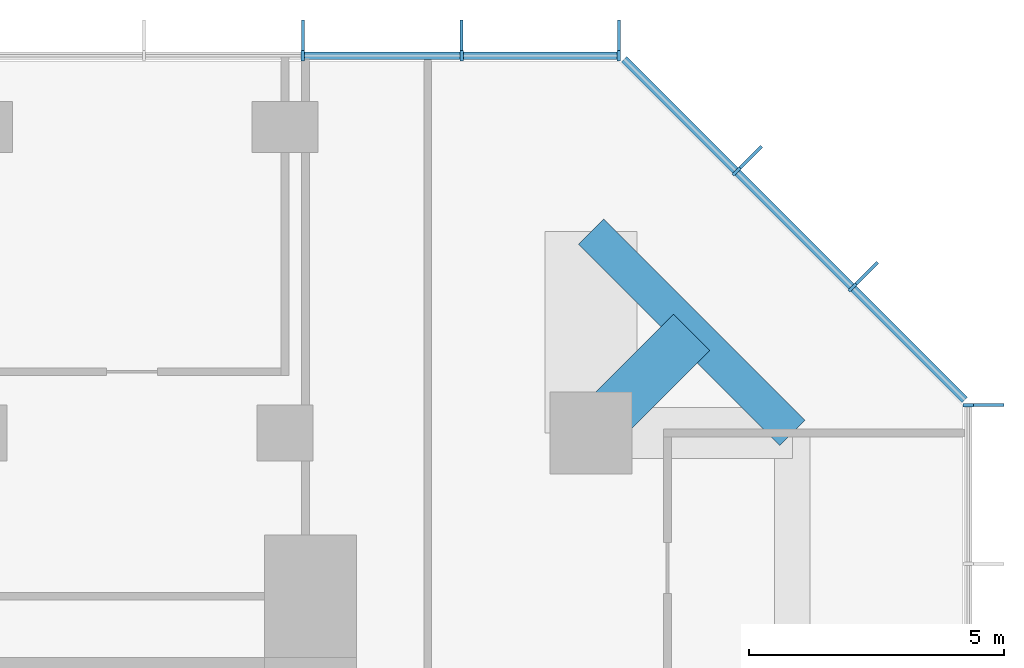
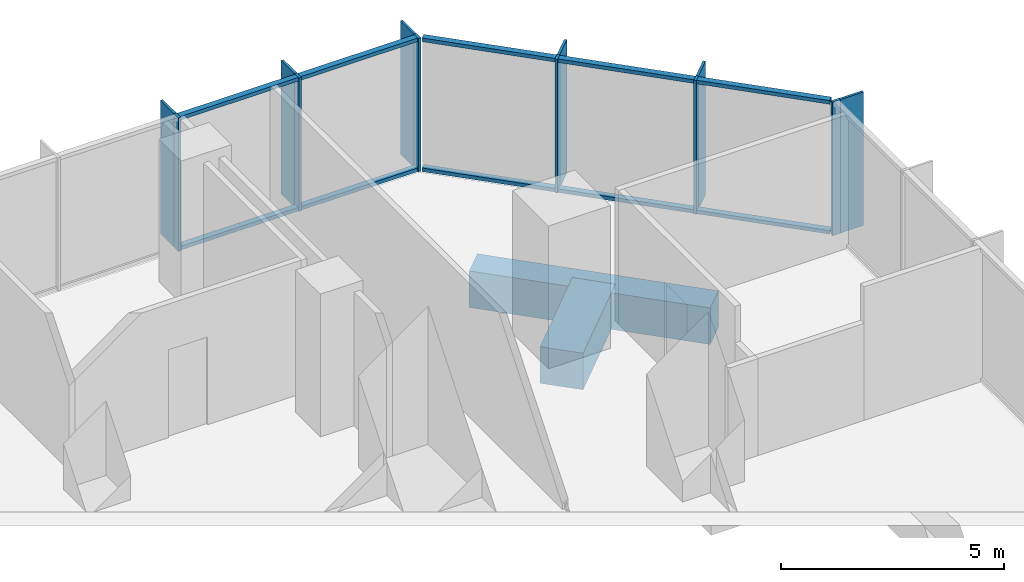
# One storey, part 6 of 10: 22 members, 2 beams, 3 elements without a shape of their own.
"""IFC4 building model written with IfcOpenShell, lengths in metres."""

from ifc_helpers import new_model, si_unit, direction, frame, origin, origin_2d, place, context, subcontext, project, spatial, rectangle, extrude, material, layer, layer_set, material_profile, profile_set, type_object, element, aggregate, save


model = new_model("IFC4")

# Units and contexts
model_context = context("Model", 3, precision=1e-05, world=origin(), true_north=direction((0.0, 1.0)))
body_context = subcontext(model_context, "Body", "Model", "MODEL_VIEW")
ifc_project = project(units=[si_unit("LENGTHUNIT", "METRE"), si_unit("AREAUNIT", "SQUARE_METRE"), si_unit("VOLUMEUNIT", "CUBIC_METRE"), si_unit("PLANEANGLEUNIT", "RADIAN"), si_unit("MASSUNIT", "GRAM", prefix="KILO")], contexts=[model_context])

# Site, building, storey
site_placement = place(None, origin())
site = spatial("IfcSite", under=ifc_project, at=site_placement, CompositionType="ELEMENT")
building_placement = place(site_placement, origin())
building = spatial("IfcBuilding", under=site, at=building_placement, Name="Highveld Stack Headquarters", CompositionType="ELEMENT")
storey_placement = place(building_placement, frame((0.0, 0.0, 264.5)))
storey = spatial("IfcBuildingStorey", under=building, at=storey_placement, Name="L65", CompositionType="ELEMENT", Elevation=264.5)

# Beam
ifc_material_1 = material(Name="Concrete C60/75", Category="concrete")
ifc_material_profile_1 = material_profile(ifc_material_1, rectangle(XDim=1.0, YDim=1.0, at=origin_2d()), Name="RC 1000x1000")
ifc_profile_set_1 = profile_set([ifc_material_profile_1], Name="Concrete C60/75")
beam_type_1 = type_object("IfcBeamType", Name="CANTILEVER RIB RC 1000x1000", PredefinedType="USERDEFINED", material=ifc_profile_set_1)
beam_1_placement = place(storey_placement, frame((24.0, 18.0, -0.75), z_axis=(0.707106781187, 0.707106781187, 0.0), x_axis=(-0.707106781187, 0.707106781187, 0.0)))
element("IfcBeam", 1, at=beam_1_placement, inside=storey, type_object=beam_type_1, Name="Cantilever rib 10/H L65", ObjectType="CANTILEVER RIB", PredefinedType="USERDEFINED", context=body_context, shape_type="SweptSolid", body=[
    extrude(rectangle(XDim=1.0, YDim=1.0, at=origin_2d()), origin(), (0.0, 0.0, 1.0), 2.793212890625),
])

# Curtain wall, member
ifc_material_2 = material(Name="Aluminium bronze anodised", Category="aluminium")
ifc_layer = layer(ifc_material_2, 0.199951171875)
ifc_layer_set = layer_set([ifc_layer], Name="Aluminium bronze anodised")
curtain_wall_type = type_object("IfcCurtainWallType", Name="CW5 EXECUTIVE UNITISED CURTAIN WALL", PredefinedType="NOTDEFINED", material=ifc_layer_set)
curtain_wall_1_placement = place(storey_placement, origin())
curtain_wall_1 = element("IfcCurtainWall", 2, at=curtain_wall_1_placement, inside=storey, type_object=curtain_wall_type, Name="Curtain wall CW5 L65 E", PredefinedType="NOTDEFINED")
ifc_material_3 = material(Name="Aluminium bronze anodised", Category="aluminium")
ifc_material_profile_2 = material_profile(ifc_material_3, rectangle(XDim=0.60009765625, YDim=0.06005859375, at=origin_2d()), Name="FIN 600x60")
ifc_profile_set_2 = profile_set([ifc_material_profile_2], Name="Aluminium bronze anodised")
member_type_1 = type_object("IfcMemberType", Name="CW5 BRONZE FIN 600x60", PredefinedType="USERDEFINED", material=ifc_profile_set_2)
member_1_placement = place(storey_placement, frame((31.800048828125, 18.54736328125, 0.0), z_axis=(0.0, 0.0, 1.0), x_axis=(-1.0, 0.0, 0.0)))
member_1 = element("IfcMember", 3, at=member_1_placement, type_object=member_type_1, Name="CW5 fin L65 9", ObjectType="FIN", PredefinedType="USERDEFINED", context=body_context, shape_type="SweptSolid", body=[
    extrude(rectangle(XDim=0.60009765625, YDim=0.06005859375, at=origin_2d()), origin(), (0.0, 0.0, 1.0), 3.64990234375),
])

# Curtain wall, members
curtain_wall_2_placement = place(storey_placement, origin())
curtain_wall_2 = element("IfcCurtainWall", 4, at=curtain_wall_2_placement, inside=storey, type_object=curtain_wall_type, Name="Curtain wall CW5 L65 NE", PredefinedType="NOTDEFINED")
member_2_placement = place(storey_placement, frame((29.409423828125, 21.135986328125, 0.0), z_axis=(0.0, 0.0, 1.0), x_axis=(-0.707106781187, -0.707106781187, 0.0)))
member_2 = element("IfcMember", 5, at=member_2_placement, type_object=member_type_1, Name="CW5 fin L65 1", ObjectType="FIN", PredefinedType="USERDEFINED", context=body_context, shape_type="SweptSolid", body=[
    extrude(rectangle(XDim=0.60009765625, YDim=0.06005859375, at=origin_2d()), origin(), (0.0, 0.0, 1.0), 3.64990234375),
])
member_3_placement = place(storey_placement, frame((27.135986328125, 23.409423828125, 0.0), z_axis=(0.0, 0.0, 1.0), x_axis=(-0.707106781187, -0.707106781187, 0.0)))
member_3 = element("IfcMember", 6, at=member_3_placement, type_object=member_type_1, Name="CW5 fin L65 2", ObjectType="FIN", PredefinedType="USERDEFINED", context=body_context, shape_type="SweptSolid", body=[
    extrude(rectangle(XDim=0.60009765625, YDim=0.06005859375, at=origin_2d()), origin(), (0.0, 0.0, 1.0), 3.64990234375),
])

curtain_wall_3_placement = place(storey_placement, origin())
curtain_wall_3 = element("IfcCurtainWall", 7, at=curtain_wall_3_placement, inside=storey, type_object=curtain_wall_type, Name="Curtain wall CW5 L65 N", PredefinedType="NOTDEFINED")
member_4_placement = place(storey_placement, frame((24.54736328125, 25.800048828125, 0.0), z_axis=(0.0, 0.0, 1.0), x_axis=(0.0, -1.0, 0.0)))
member_4 = element("IfcMember", 8, at=member_4_placement, type_object=member_type_1, Name="CW5 fin L65 1", ObjectType="FIN", PredefinedType="USERDEFINED", context=body_context, shape_type="SweptSolid", body=[
    extrude(rectangle(XDim=0.60009765625, YDim=0.06005859375, at=origin_2d()), origin(), (0.0, 0.0, 1.0), 3.64990234375),
])
member_5_placement = place(storey_placement, frame((21.4638671875, 25.800048828125, 0.0), z_axis=(0.0, 0.0, 1.0), x_axis=(0.0, -1.0, 0.0)))
member_5 = element("IfcMember", 9, at=member_5_placement, type_object=member_type_1, Name="CW5 fin L65 2", ObjectType="FIN", PredefinedType="USERDEFINED", context=body_context, shape_type="SweptSolid", body=[
    extrude(rectangle(XDim=0.60009765625, YDim=0.06005859375, at=origin_2d()), origin(), (0.0, 0.0, 1.0), 3.64990234375),
])
member_6_placement = place(storey_placement, frame((18.347900390625, 25.800048828125, 0.0), z_axis=(0.0, 0.0, 1.0), x_axis=(0.0, -1.0, 0.0)))
member_6 = element("IfcMember", 10, at=member_6_placement, type_object=member_type_1, Name="CW5 fin L65 3", ObjectType="FIN", PredefinedType="USERDEFINED", context=body_context, shape_type="SweptSolid", body=[
    extrude(rectangle(XDim=0.60009765625, YDim=0.06005859375, at=origin_2d()), origin(), (0.0, 0.0, 1.0), 3.64990234375),
])

# Member
ifc_material_4 = material(Name="Aluminium bronze anodised", Category="aluminium")
ifc_material_profile_3 = material_profile(ifc_material_4, rectangle(XDim=0.199951171875, YDim=0.06494140625, at=origin_2d()), Name="CW5 MULLION 65x200")
ifc_profile_set_3 = profile_set([ifc_material_profile_3], Name="Aluminium bronze anodised")
member_type_2 = type_object("IfcMemberType", Name="CW5 MULLION 65x200", PredefinedType="MULLION", material=ifc_profile_set_3)
member_7_placement = place(storey_placement, frame((31.39990234375, 18.54736328125, 0.0), z_axis=(0.0, 0.0, 1.0), x_axis=(-1.0, 0.0, 0.0)))
member_7 = element("IfcMember", 11, at=member_7_placement, type_object=member_type_2, Name="CW5 mullion L65 9", PredefinedType="MULLION", context=body_context, shape_type="SweptSolid", body=[
    extrude(rectangle(XDim=0.199951171875, YDim=0.06494140625, at=origin_2d()), origin(), (0.0, 0.0, 1.0), 3.64990234375),
])

aggregate(curtain_wall_1, [member_7, member_1])

member_8_placement = place(storey_placement, frame((29.126708984375, 20.853271484375, 0.0), z_axis=(0.0, 0.0, 1.0), x_axis=(-0.707106781187, -0.707106781187, 0.0)))
member_8 = element("IfcMember", 12, at=member_8_placement, type_object=member_type_2, Name="CW5 mullion L65 1", PredefinedType="MULLION", context=body_context, shape_type="SweptSolid", body=[
    extrude(rectangle(XDim=0.199951171875, YDim=0.06494140625, at=origin_2d()), origin(), (0.0, 0.0, 1.0), 3.64990234375),
])

member_9_placement = place(storey_placement, frame((26.853271484375, 23.126708984375, 0.0), z_axis=(0.0, 0.0, 1.0), x_axis=(-0.707106781187, -0.707106781187, 0.0)))
member_9 = element("IfcMember", 13, at=member_9_placement, type_object=member_type_2, Name="CW5 mullion L65 2", PredefinedType="MULLION", context=body_context, shape_type="SweptSolid", body=[
    extrude(rectangle(XDim=0.199951171875, YDim=0.06494140625, at=origin_2d()), origin(), (0.0, 0.0, 1.0), 3.64990234375),
])

member_10_placement = place(storey_placement, frame((24.54736328125, 25.39990234375, 0.0), z_axis=(0.0, 0.0, 1.0), x_axis=(0.0, -1.0, 0.0)))
member_10 = element("IfcMember", 14, at=member_10_placement, type_object=member_type_2, Name="CW5 mullion L65 1", PredefinedType="MULLION", context=body_context, shape_type="SweptSolid", body=[
    extrude(rectangle(XDim=0.199951171875, YDim=0.06494140625, at=origin_2d()), origin(), (0.0, 0.0, 1.0), 3.64990234375),
])

member_11_placement = place(storey_placement, frame((21.4638671875, 25.39990234375, 0.0), z_axis=(0.0, 0.0, 1.0), x_axis=(0.0, -1.0, 0.0)))
member_11 = element("IfcMember", 15, at=member_11_placement, type_object=member_type_2, Name="CW5 mullion L65 2", PredefinedType="MULLION", context=body_context, shape_type="SweptSolid", body=[
    extrude(rectangle(XDim=0.199951171875, YDim=0.06494140625, at=origin_2d()), origin(), (0.0, 0.0, 1.0), 3.64990234375),
])

member_12_placement = place(storey_placement, frame((18.347900390625, 25.39990234375, 0.0), z_axis=(0.0, 0.0, 1.0), x_axis=(0.0, -1.0, 0.0)))
member_12 = element("IfcMember", 16, at=member_12_placement, type_object=member_type_2, Name="CW5 mullion L65 3", PredefinedType="MULLION", context=body_context, shape_type="SweptSolid", body=[
    extrude(rectangle(XDim=0.199951171875, YDim=0.06494140625, at=origin_2d()), origin(), (0.0, 0.0, 1.0), 3.64990234375),
])

ifc_material_5 = material(Name="Aluminium bronze anodised", Category="aluminium")
ifc_material_profile_4 = material_profile(ifc_material_5, rectangle(XDim=0.14990234375, YDim=0.10009765625, at=origin_2d()), Name="CW5 TRANSOM 150x100")
ifc_profile_set_4 = profile_set([ifc_material_profile_4], Name="Aluminium bronze anodised")
member_type_3 = type_object("IfcMemberType", Name="CW5 STACK TRANSOM 150x100", PredefinedType="USERDEFINED", material=ifc_profile_set_4)
member_13_placement = place(storey_placement, frame((31.329345703125, 18.650634765625, 0.050048828125), z_axis=(-0.707106781187, 0.707106781187, 0.0), x_axis=(-0.707106781187, -0.707106781187, 0.0)))
member_13 = element("IfcMember", 17, at=member_13_placement, type_object=member_type_3, Name="CW5 transom L65 1.1", ObjectType="TRANSOM", PredefinedType="USERDEFINED", context=body_context, shape_type="SweptSolid", body=[
    extrude(rectangle(XDim=0.14990234375, YDim=0.10009765625, at=origin_2d()), origin(), (0.0, 0.0, 1.0), 3.08251953125),
])

member_14_placement = place(storey_placement, frame((31.329345703125, 18.650634765625, 3.60009765625), z_axis=(-0.707106781187, 0.707106781187, 0.0), x_axis=(-0.707106781187, -0.707106781187, 0.0)))
member_14 = element("IfcMember", 18, at=member_14_placement, type_object=member_type_3, Name="CW5 transom L65 1.2", ObjectType="TRANSOM", PredefinedType="USERDEFINED", context=body_context, shape_type="SweptSolid", body=[
    extrude(rectangle(XDim=0.14990234375, YDim=0.10009765625, at=origin_2d()), origin(), (0.0, 0.0, 1.0), 3.08251953125),
])

member_15_placement = place(storey_placement, frame((29.103759765625, 20.876220703125, 0.050048828125), z_axis=(-0.707106781187, 0.707106781187, 0.0), x_axis=(-0.707106781187, -0.707106781187, 0.0)))
member_15 = element("IfcMember", 19, at=member_15_placement, type_object=member_type_3, Name="CW5 transom L65 2.1", ObjectType="TRANSOM", PredefinedType="USERDEFINED", context=body_context, shape_type="SweptSolid", body=[
    extrude(rectangle(XDim=0.14990234375, YDim=0.10009765625, at=origin_2d()), origin(), (0.0, 0.0, 1.0), 3.150146484375),
])

member_16_placement = place(storey_placement, frame((29.103759765625, 20.876220703125, 3.60009765625), z_axis=(-0.707106781187, 0.707106781187, 0.0), x_axis=(-0.707106781187, -0.707106781187, 0.0)))
member_16 = element("IfcMember", 20, at=member_16_placement, type_object=member_type_3, Name="CW5 transom L65 2.2", ObjectType="TRANSOM", PredefinedType="USERDEFINED", context=body_context, shape_type="SweptSolid", body=[
    extrude(rectangle(XDim=0.14990234375, YDim=0.10009765625, at=origin_2d()), origin(), (0.0, 0.0, 1.0), 3.150146484375),
])

member_17_placement = place(storey_placement, frame((26.830322265625, 23.149658203125, 0.050048828125), z_axis=(-0.707106781187, 0.707106781187, 0.0), x_axis=(-0.707106781187, -0.707106781187, 0.0)))
member_17 = element("IfcMember", 21, at=member_17_placement, type_object=member_type_3, Name="CW5 transom L65 3.1", ObjectType="TRANSOM", PredefinedType="USERDEFINED", context=body_context, shape_type="SweptSolid", body=[
    extrude(rectangle(XDim=0.14990234375, YDim=0.10009765625, at=origin_2d()), origin(), (0.0, 0.0, 1.0), 3.08251953125),
])

member_18_placement = place(storey_placement, frame((26.830322265625, 23.149658203125, 3.60009765625), z_axis=(-0.707106781187, 0.707106781187, 0.0), x_axis=(-0.707106781187, -0.707106781187, 0.0)))
member_18 = element("IfcMember", 22, at=member_18_placement, type_object=member_type_3, Name="CW5 transom L65 3.2", ObjectType="TRANSOM", PredefinedType="USERDEFINED", context=body_context, shape_type="SweptSolid", body=[
    extrude(rectangle(XDim=0.14990234375, YDim=0.10009765625, at=origin_2d()), origin(), (0.0, 0.0, 1.0), 3.08251953125),
])

aggregate(curtain_wall_2, [member_8, member_2, member_9, member_3, member_13, member_14, member_15, member_16, member_17, member_18])

member_19_placement = place(storey_placement, frame((24.514892578125, 25.39990234375, 0.050048828125), z_axis=(-1.0, 0.0, 0.0), x_axis=(0.0, -1.0, 0.0)))
member_19 = element("IfcMember", 23, at=member_19_placement, type_object=member_type_3, Name="CW5 transom L65 1.1", ObjectType="TRANSOM", PredefinedType="USERDEFINED", context=body_context, shape_type="SweptSolid", body=[
    extrude(rectangle(XDim=0.14990234375, YDim=0.10009765625, at=origin_2d()), origin(), (0.0, 0.0, 1.0), 3.0185546875),
])

member_20_placement = place(storey_placement, frame((24.514892578125, 25.39990234375, 3.60009765625), z_axis=(-1.0, 0.0, 0.0), x_axis=(0.0, -1.0, 0.0)))
member_20 = element("IfcMember", 24, at=member_20_placement, type_object=member_type_3, Name="CW5 transom L65 1.2", ObjectType="TRANSOM", PredefinedType="USERDEFINED", context=body_context, shape_type="SweptSolid", body=[
    extrude(rectangle(XDim=0.14990234375, YDim=0.10009765625, at=origin_2d()), origin(), (0.0, 0.0, 1.0), 3.0185546875),
])

member_21_placement = place(storey_placement, frame((21.431396484375, 25.39990234375, 0.050048828125), z_axis=(-1.0, 0.0, 0.0), x_axis=(0.0, -1.0, 0.0)))
member_21 = element("IfcMember", 25, at=member_21_placement, type_object=member_type_3, Name="CW5 transom L65 2.1", ObjectType="TRANSOM", PredefinedType="USERDEFINED", context=body_context, shape_type="SweptSolid", body=[
    extrude(rectangle(XDim=0.14990234375, YDim=0.10009765625, at=origin_2d()), origin(), (0.0, 0.0, 1.0), 3.051025390625),
])

member_22_placement = place(storey_placement, frame((21.431396484375, 25.39990234375, 3.60009765625), z_axis=(-1.0, 0.0, 0.0), x_axis=(0.0, -1.0, 0.0)))
member_22 = element("IfcMember", 26, at=member_22_placement, type_object=member_type_3, Name="CW5 transom L65 2.2", ObjectType="TRANSOM", PredefinedType="USERDEFINED", context=body_context, shape_type="SweptSolid", body=[
    extrude(rectangle(XDim=0.14990234375, YDim=0.10009765625, at=origin_2d()), origin(), (0.0, 0.0, 1.0), 3.051025390625),
])

aggregate(curtain_wall_3, [member_10, member_4, member_11, member_5, member_12, member_6, member_19, member_20, member_21, member_22])

# Beam
ifc_material_6 = material(Name="Concrete C60/75", Category="concrete")
ifc_material_profile_5 = material_profile(ifc_material_6, rectangle(XDim=0.699951171875, YDim=1.0, at=origin_2d()), Name="RC 700x1000")
ifc_profile_set_5 = profile_set([ifc_material_profile_5], Name="Concrete C60/75")
beam_type_2 = type_object("IfcBeamType", Name="RIB TIP BEAM RC 700x1000", PredefinedType="SPANDREL", material=ifc_profile_set_5)
beam_2_placement = place(storey_placement, frame((27.949951171875, 18.0, -0.75), z_axis=(-0.707106781187, 0.707106781187, 0.0), x_axis=(-0.707106781187, -0.707106781187, 0.0)))
element("IfcBeam", 27, at=beam_2_placement, inside=storey, type_object=beam_type_2, Name="Rib tip beam 10/H corner L65", PredefinedType="SPANDREL", context=body_context, shape_type="SweptSolid", body=[
    extrude(rectangle(XDim=0.699951171875, YDim=1.0, at=origin_2d()), origin(), (0.0, 0.0, 1.0), 5.586181640625),
])

save(model, "model.ifc")
